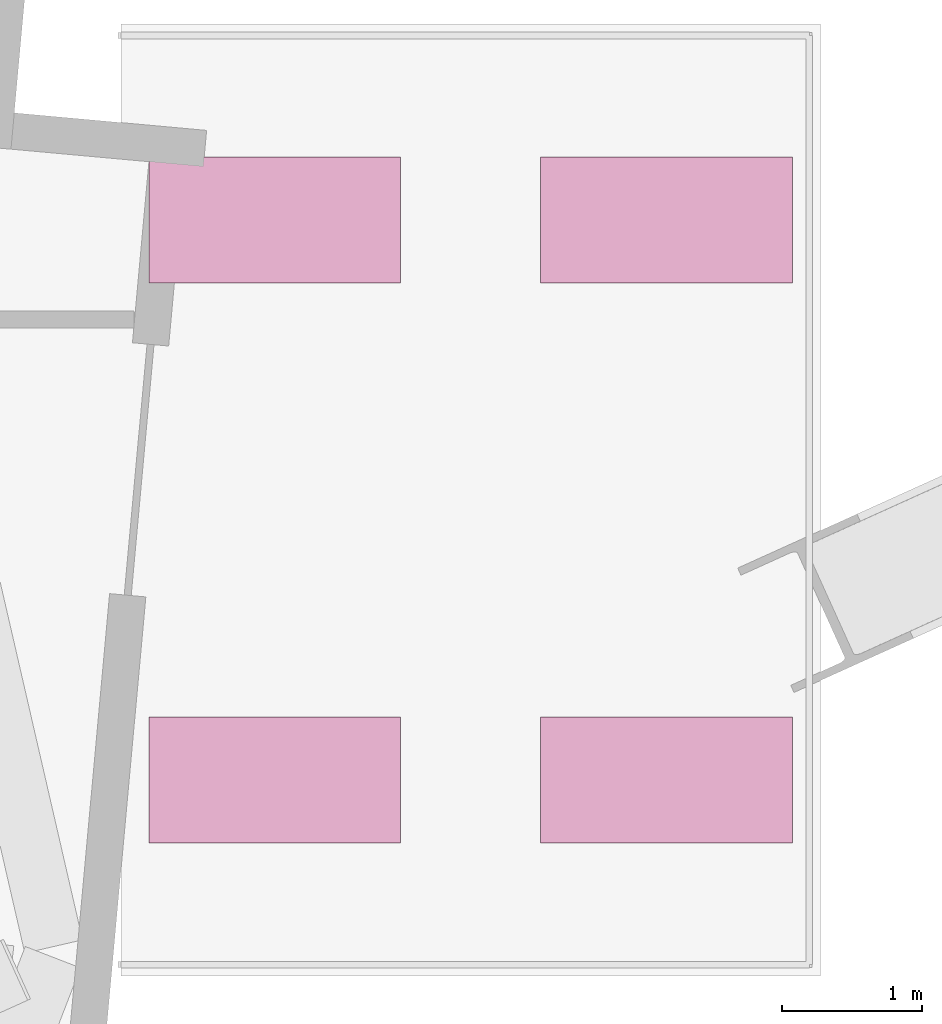
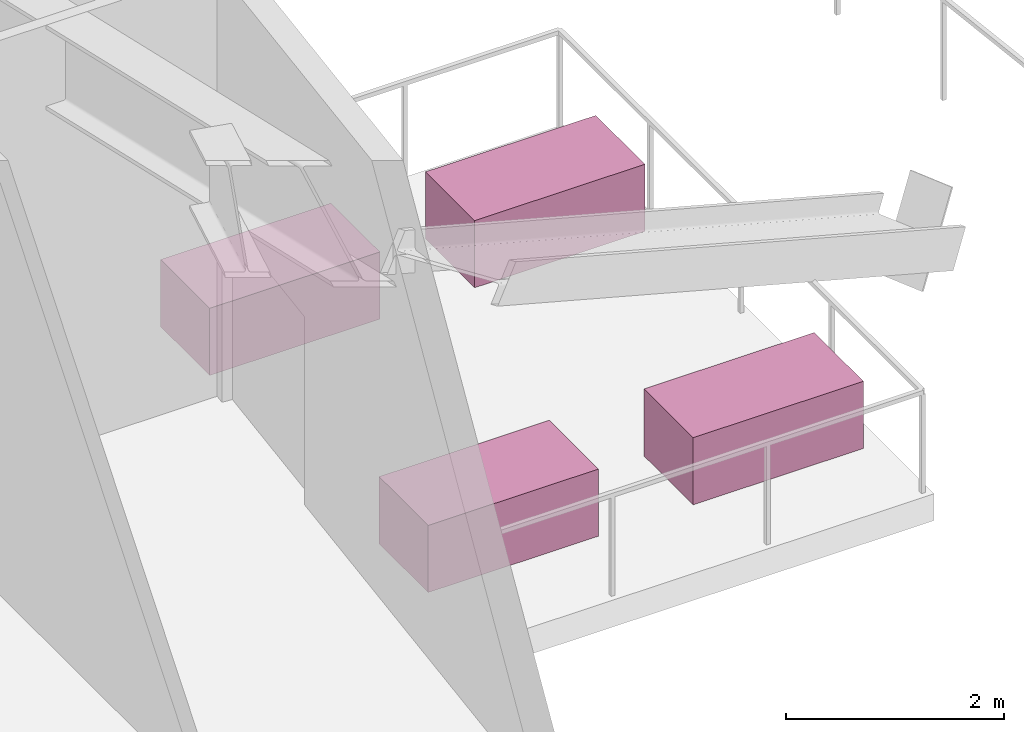
# One storey, part 20 of 20: 4 furnishings.
"""IFC4 building model written with IfcOpenShell, lengths in metres."""

from ifc_helpers import new_model, si_unit, direction, frame, origin, origin_2d, place, context, subcontext, project, spatial, rectangle, extrude, source, transform, mapped, material, type_object, type_shapes, element, save


model = new_model("IFC4")

# Units and contexts
model_context = context("Model", 3, precision=1e-05, world=origin(), true_north=direction((0.0, 1.0)))
body_context = subcontext(model_context, "Body", "Model", "MODEL_VIEW")
ifc_project = project(units=[si_unit("LENGTHUNIT", "METRE"), si_unit("AREAUNIT", "SQUARE_METRE"), si_unit("VOLUMEUNIT", "CUBIC_METRE"), si_unit("PLANEANGLEUNIT", "RADIAN"), si_unit("MASSUNIT", "GRAM", prefix="KILO")], contexts=[model_context])

# Site, building, storey
site_placement = place(None, origin())
site = spatial("IfcSite", under=ifc_project, at=site_placement, CompositionType="ELEMENT")
building_placement = place(site_placement, origin())
building = spatial("IfcBuilding", under=site, at=building_placement, Name="Astriad Promenade Condominiums", CompositionType="ELEMENT")
storey_placement = place(building_placement, frame((0.0, 0.0, 211.39990234375)))
storey = spatial("IfcBuildingStorey", under=building, at=storey_placement, Name="L61", CompositionType="ELEMENT", Elevation=211.39990234375)

# Furnishings
ifc_material = material(Name="Architectural Precast Concrete Planter", Category="concrete")
furnishing_element_type = type_object("IfcFurnishingElementType", Name="PLANTER-SKYGARDEN-1800", material=ifc_material)
shared_shape = source(origin(), body_context, "Body", "SweptSolid", [
    extrude(rectangle(XDim=1.800048828125, YDim=0.89990234375, at=origin_2d()), origin(), (0.0, 0.0, 1.0), 0.75),
])
type_shapes(furnishing_element_type, [shared_shape])
for number, where, z_axis, x_axis, name in (
    (1, (57.300048828125, 17.60009765625, 0.0), (0.0, 0.0, 1.0), (1.0, 0.0, 0.0), "PLN-SG-L61-1"),
    (2, (60.10009765625, 17.60009765625, 0.0), (0.0, 0.0, 1.0), (1.0, 0.0, 0.0), "PLN-SG-L61-2"),
    (3, (57.300048828125, 21.60009765625, 0.0), (0.0, 0.0, 1.0), (1.0, 0.0, 0.0), "PLN-SG-L61-3"),
    (4, (60.10009765625, 21.60009765625, 0.0), (0.0, 0.0, 1.0), (1.0, 0.0, 0.0), "PLN-SG-L61-4"),
):
    element("IfcFurnishingElement", number, at=place(storey_placement, frame(where, z_axis=z_axis, x_axis=x_axis)), inside=storey, type_object=furnishing_element_type, Name=name, ObjectType="PLANTER", context=body_context, shape_type="MappedRepresentation", body=[
        mapped(shared_shape, transform((0.0, 0.0, 0.0), scale=1.0)),
    ])

save(model, "model.ifc")
